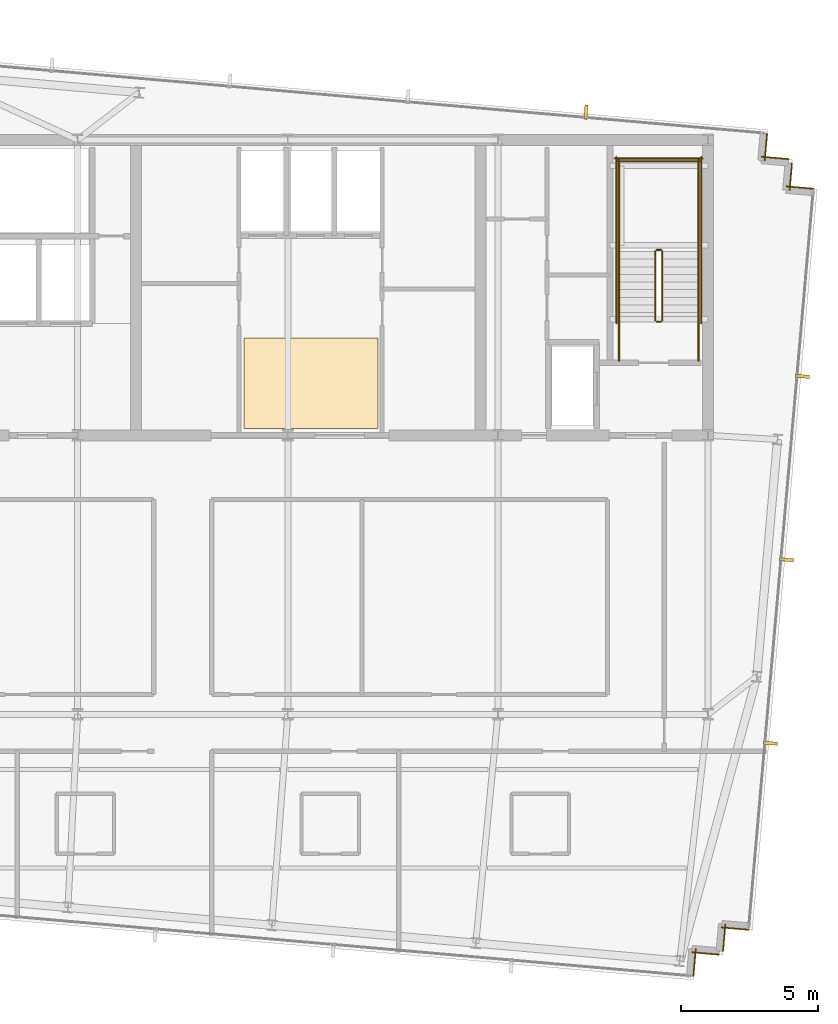
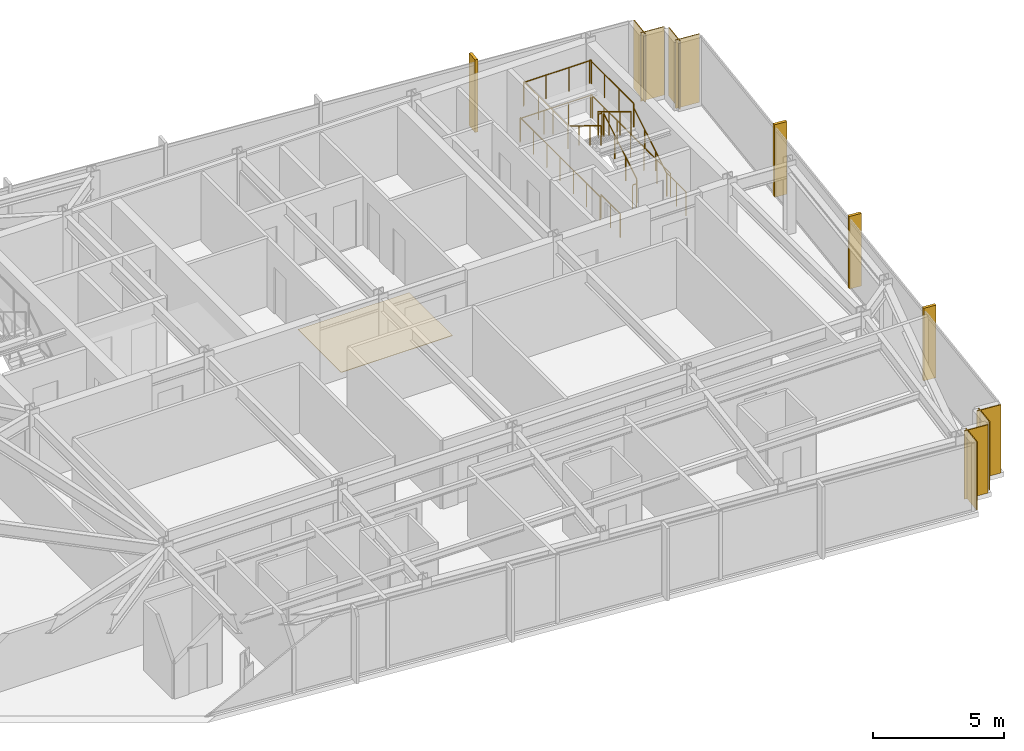
# One storey, part 32 of 33: 14 railings, 9 coverings, 4 shading devices.
"""IFC4 building model written with IfcOpenShell, lengths in metres."""

from ifc_helpers import new_model, si_unit, direction, frame, frame_2d, origin, origin_2d, place, context, subcontext, project, spatial, polyline, rectangle, circle, outline, extrude, material, layer, layer_set, type_object, element, save


model = new_model("IFC4")

# Units and contexts
model_context = context("Model", 3, precision=1e-05, world=origin(), true_north=direction((0.0, 1.0)))
body_context = subcontext(model_context, "Body", "Model", "MODEL_VIEW")
ifc_project = project(units=[si_unit("LENGTHUNIT", "METRE"), si_unit("AREAUNIT", "SQUARE_METRE"), si_unit("VOLUMEUNIT", "CUBIC_METRE"), si_unit("PLANEANGLEUNIT", "RADIAN"), si_unit("MASSUNIT", "GRAM", prefix="KILO")], contexts=[model_context])

# Site, building, storey
site_placement = place(None, origin())
site = spatial("IfcSite", under=ifc_project, at=site_placement, CompositionType="ELEMENT")
building_placement = place(site_placement, origin())
building = spatial("IfcBuilding", under=site, at=building_placement, Name="Yelkora Congress Tower", CompositionType="ELEMENT")
storey_placement = place(building_placement, frame((0.0, 0.0, 282.89990234375)))
storey = spatial("IfcBuildingStorey", under=building, at=storey_placement, Name="L79", CompositionType="ELEMENT", Elevation=282.89990234375)

# Coverings
ifc_material_1 = material(Name="Anatolian bush-hammered limestone", Category="masonry")
ifc_layer_1 = layer(ifc_material_1, 0.0400390625)
ifc_layer_set_1 = layer_set([ifc_layer_1], Name="Anatolian bush-hammered limestone")
covering_type_1 = type_object("IfcCoveringType", Name="COV-CLAD-SPANDREL-40", PredefinedType="CLADDING", material=ifc_layer_set_1)
for number, where, z_axis, x_axis, name in (
    (1, (55.92041015625, 46.431396484375, 0.0), (0.0, 0.0, 1.0), (-0.086903493655, -0.996216734848, 0.0), "L79 Anatolian Limestone Cladding EW-L79-SR11"),
    (2, (55.710693359375, 45.581298828125, 0.0), (0.0, 0.0, 1.0), (0.996193717496, -0.087166950281, 0.0), "L79 Anatolian Limestone Cladding EW-L79-SR12"),
    (3, (56.82958984375, 45.347900390625, 0.0), (0.0, 0.0, 1.0), (-0.087166950281, -0.996193717496, 0.0), "L79 Anatolian Limestone Cladding EW-L79-SR13"),
):
    element("IfcCovering", number, at=place(storey_placement, frame(where, z_axis=z_axis, x_axis=x_axis)), inside=storey, type_object=covering_type_1, Name=name, PredefinedType="CLADDING", context=body_context, shape_type="SweptSolid", body=[
        extrude(rectangle(XDim=1.0, YDim=0.0400390625, at=frame_2d((0.5, 0.0))), origin(), (0.0, 0.0, 1.0), 3.18017578125),
    ])
covering_1_placement = place(storey_placement, frame((56.61962890625, 44.498046875, 0.0), z_axis=(0.0, 0.0, 1.0), x_axis=(0.996195572005, -0.087145753297, 0.0)))
element("IfcCovering", 4, at=covering_1_placement, inside=storey, type_object=covering_type_1, Name="L79 Anatolian Limestone Cladding EW-L79-SR14", PredefinedType="CLADDING", context=body_context, shape_type="SweptSolid", body=[
    extrude(rectangle(XDim=1.000244140625, YDim=0.0400390625, at=frame_2d((0.5, 0.0))), origin(), (0.0, 0.0, 1.0), 3.18017578125),
])
for number, where, z_axis, x_axis, name in (
    (5, (55.24609375, 17.32421875, 0.0), (0.0, 0.0, 1.0), (-0.99617248636, 0.08740925248, 0.0), "L79 Anatolian Limestone Cladding EW-L79-SR16"),
    (6, (54.396240234375, 17.5341796875, 0.0), (0.0, 0.0, 1.0), (-0.087166950281, -0.996193717496, 0.0), "L79 Anatolian Limestone Cladding EW-L79-SR17"),
):
    element("IfcCovering", number, at=place(storey_placement, frame(where, z_axis=z_axis, x_axis=x_axis)), inside=storey, type_object=covering_type_1, Name=name, PredefinedType="CLADDING", context=body_context, shape_type="SweptSolid", body=[
        extrude(rectangle(XDim=1.0, YDim=0.0400390625, at=frame_2d((0.5, 0.0))), origin(), (0.0, 0.0, 1.0), 3.18017578125),
    ])
covering_2_placement = place(storey_placement, frame((54.162841796875, 16.415283203125, 0.0), z_axis=(0.0, 0.0, 1.0), x_axis=(-0.996195572005, 0.087145753297, 0.0)))
element("IfcCovering", 7, at=covering_2_placement, inside=storey, type_object=covering_type_1, Name="L79 Anatolian Limestone Cladding EW-L79-SR18", PredefinedType="CLADDING", context=body_context, shape_type="SweptSolid", body=[
    extrude(rectangle(XDim=1.000244140625, YDim=0.0400390625, at=frame_2d((0.5, 0.0))), origin(), (0.0, 0.0, 1.0), 3.18017578125),
])
covering_3_placement = place(storey_placement, frame((53.312744140625, 16.625, 0.0), z_axis=(0.0, 0.0, 1.0), x_axis=(-0.087166950281, -0.996193717496, 0.0)))
element("IfcCovering", 8, at=covering_3_placement, inside=storey, type_object=covering_type_1, Name="L79 Anatolian Limestone Cladding EW-L79-SR19", PredefinedType="CLADDING", context=body_context, shape_type="SweptSolid", body=[
    extrude(rectangle(XDim=1.0, YDim=0.0400390625, at=frame_2d((0.5, 0.0))), origin(), (0.0, 0.0, 1.0), 3.18017578125),
])
ifc_material_2 = material(Name="Polished Anatolian grey granite tile", Category="masonry")
ifc_layer_2 = layer(ifc_material_2, 0.02001953125)
ifc_layer_set_2 = layer_set([ifc_layer_2], Name="Polished Anatolian grey granite tile")
covering_type_2 = type_object("IfcCoveringType", Name="COV-FLOOR-GRANITE-20", PredefinedType="FLOORING", material=ifc_layer_set_2)
covering_4_placement = place(storey_placement, origin())
element("IfcCovering", 9, at=covering_4_placement, inside=storey, type_object=covering_type_2, Name="L79 Lift Lobby Granite Flooring", PredefinedType="FLOORING", context=body_context, shape_type="SweptSolid", body=[
    extrude(outline(polyline([(36.800048828125, 35.64990234375), (41.699951171875, 35.64990234375), (41.699951171875, 38.949951171875), (36.800048828125, 38.949951171875), (36.800048828125, 35.64990234375)])), origin(), (0.0, 0.0, 1.0), 0.02001953125),
])

# Railings
ifc_material_3 = material(Name="Painted galvanised steel stair well guard with vertical infill", Category="steel")
ifc_layer_3 = layer(ifc_material_3, 0.06005859375)
ifc_layer_set_3 = layer_set([ifc_layer_3], Name="Painted galvanised steel stair well guard with vertical infill")
railing_type_1 = type_object("IfcRailingType", Name="RAIL-STAIR-GUARD-1120", PredefinedType="GUARDRAIL", material=ifc_layer_set_3)
railing_1_placement = place(storey_placement, frame((52.090087890625, 39.60009765625, 0.170166015625)))
element("IfcRailing", 10, at=railing_1_placement, inside=storey, type_object=railing_type_1, Name="ST-02 L79 Stair Well Guardrail 1", PredefinedType="GUARDRAIL", context=body_context, shape_type="SweptSolid", body=[
    extrude(circle(Radius=0.02392578125, at=origin_2d()), frame((0.0, 0.0, 1.09619140625), z_axis=(0.0, 0.85478489116, 0.518982456201), x_axis=(-1.0, 0.0, 0.0)), (0.0, 0.0, 1.0), 2.9482421875),
    extrude(circle(Radius=0.02099609375, at=origin_2d()), origin(), (0.0, 0.0, 1.0), 1.072021484375),
    extrude(circle(Radius=0.02099609375, at=origin_2d()), frame((0.0, 0.840087890625, 0.510009765625)), (0.0, 0.0, 1.0), 1.072021484375),
    extrude(circle(Radius=0.02099609375, at=origin_2d()), frame((0.0, 1.679931640625, 1.02001953125)), (0.0, 0.0, 1.0), 1.072021484375),
    extrude(circle(Radius=0.02099609375, at=origin_2d()), frame((0.0, 2.52001953125, 1.530029296875)), (0.0, 0.0, 1.0), 1.072021484375),
])
railing_2_placement = place(storey_placement, frame((52.0400390625, 42.169921875, 1.7001953125)))
element("IfcRailing", 11, at=railing_2_placement, inside=storey, type_object=railing_type_1, Name="ST-02 L79 Stair Well Guardrail 2", PredefinedType="GUARDRAIL", context=body_context, shape_type="SweptSolid", body=[
    extrude(circle(Radius=0.02392578125, at=origin_2d()), frame((0.0, 0.0, 1.09619140625), z_axis=(-1.0, 0.0, 0.0), x_axis=(0.0, -1.0, 0.0)), (0.0, 0.0, 1.0), 0.16015625),
    extrude(circle(Radius=0.02099609375, at=origin_2d()), origin(), (0.0, 0.0, 1.0), 1.072021484375),
    extrude(circle(Radius=0.02099609375, at=origin_2d()), frame((-0.16015625, 0.0, 0.0)), (0.0, 0.0, 1.0), 1.072021484375),
])
for number, where, name in (
    (12, (53.409912109375, 42.1201171875, 1.7001953125), "ST-02 L79 Stair Well Guardrail 3"),
    (13, (50.510009765625, 42.1201171875, 1.7001953125), "ST-02 L79 Stair Well Guardrail 4"),
):
    element("IfcRailing", number, at=place(storey_placement, frame(where)), inside=storey, type_object=railing_type_1, Name=name, PredefinedType="GUARDRAIL", context=body_context, shape_type="SweptSolid", body=[
        extrude(circle(Radius=0.02392578125, at=origin_2d()), frame((0.0, 0.0, 1.09619140625), z_axis=(0.0, 1.0, 0.0), x_axis=(-1.0, 0.0, 0.0)), (0.0, 0.0, 1.0), 3.349853515625),
        extrude(circle(Radius=0.02099609375, at=origin_2d()), origin(), (0.0, 0.0, 1.0), 1.072021484375),
        extrude(circle(Radius=0.02099609375, at=origin_2d()), frame((0.0, 1.11669921875, 0.0)), (0.0, 0.0, 1.0), 1.072021484375),
        extrude(circle(Radius=0.02099609375, at=origin_2d()), frame((0.0, 2.233154296875, 0.0)), (0.0, 0.0, 1.0), 1.072021484375),
        extrude(circle(Radius=0.02099609375, at=origin_2d()), frame((0.0, 3.349853515625, 0.0)), (0.0, 0.0, 1.0), 1.072021484375),
    ])
railing_3_placement = place(storey_placement, frame((53.4599609375, 45.419921875, 1.7001953125)))
element("IfcRailing", 14, at=railing_3_placement, inside=storey, type_object=railing_type_1, Name="ST-02 L79 Stair Well Guardrail 5", PredefinedType="GUARDRAIL", context=body_context, shape_type="SweptSolid", body=[
    extrude(circle(Radius=0.02392578125, at=origin_2d()), frame((0.0, 0.0, 1.09619140625), z_axis=(-1.0, 0.0, 0.0), x_axis=(0.0, -1.0, 0.0)), (0.0, 0.0, 1.0), 3.0),
    extrude(circle(Radius=0.02099609375, at=origin_2d()), origin(), (0.0, 0.0, 1.0), 1.072021484375),
    extrude(circle(Radius=0.02099609375, at=origin_2d()), frame((-1.0, 0.0, 0.0)), (0.0, 0.0, 1.0), 1.072021484375),
    extrude(circle(Radius=0.02099609375, at=origin_2d()), frame((-2.0, 0.0, 0.0)), (0.0, 0.0, 1.0), 1.072021484375),
    extrude(circle(Radius=0.02099609375, at=origin_2d()), frame((-3.0, 0.0, 0.0)), (0.0, 0.0, 1.0), 1.072021484375),
])
railing_4_placement = place(storey_placement, frame((51.830078125, 42.1201171875, 1.8701171875)))
element("IfcRailing", 15, at=railing_4_placement, inside=storey, type_object=railing_type_1, Name="ST-02 L79 Stair Well Guardrail 6", PredefinedType="GUARDRAIL", context=body_context, shape_type="SweptSolid", body=[
    extrude(circle(Radius=0.02392578125, at=origin_2d()), frame((0.0, 0.0, 1.09619140625), z_axis=(0.0, -0.85478489116, 0.518982456201), x_axis=(1.0, 0.0, 0.0)), (0.0, 0.0, 1.0), 2.9482421875),
    extrude(circle(Radius=0.02099609375, at=origin_2d()), origin(), (0.0, 0.0, 1.0), 1.072021484375),
    extrude(circle(Radius=0.02099609375, at=origin_2d()), frame((0.0, -0.840087890625, 0.510009765625)), (0.0, 0.0, 1.0), 1.072021484375),
    extrude(circle(Radius=0.02099609375, at=origin_2d()), frame((0.0, -1.679931640625, 1.02001953125)), (0.0, 0.0, 1.0), 1.072021484375),
    extrude(circle(Radius=0.02099609375, at=origin_2d()), frame((0.0, -2.52001953125, 1.530029296875)), (0.0, 0.0, 1.0), 1.072021484375),
])
railing_5_placement = place(storey_placement, frame((52.0400390625, 39.550048828125, 0.0)))
element("IfcRailing", 16, at=railing_5_placement, inside=storey, type_object=railing_type_1, Name="ST-02 L79 Stair Well Guardrail 7", PredefinedType="GUARDRAIL", context=body_context, shape_type="SweptSolid", body=[
    extrude(circle(Radius=0.02392578125, at=origin_2d()), frame((0.0, 0.0, 1.09619140625), z_axis=(-1.0, 0.0, 0.0), x_axis=(0.0, -1.0, 0.0)), (0.0, 0.0, 1.0), 0.16015625),
    extrude(circle(Radius=0.02099609375, at=origin_2d()), origin(), (0.0, 0.0, 1.0), 1.072021484375),
    extrude(circle(Radius=0.02099609375, at=origin_2d()), frame((-0.16015625, 0.0, 0.0)), (0.0, 0.0, 1.0), 1.072021484375),
])
for number, where, name in (
    (17, (53.409912109375, 38.1201171875, 0.0), "ST-02 L79 Stair Well Guardrail 8"),
    (18, (50.510009765625, 38.1201171875, 0.0), "ST-02 L79 Stair Well Guardrail 9"),
):
    element("IfcRailing", number, at=place(storey_placement, frame(where)), inside=storey, type_object=railing_type_1, Name=name, PredefinedType="GUARDRAIL", context=body_context, shape_type="SweptSolid", body=[
        extrude(circle(Radius=0.02392578125, at=origin_2d()), frame((0.0, 0.0, 1.09619140625), z_axis=(0.0, 1.0, 0.0), x_axis=(-1.0, 0.0, 0.0)), (0.0, 0.0, 1.0), 1.47998046875),
        extrude(circle(Radius=0.02099609375, at=origin_2d()), origin(), (0.0, 0.0, 1.0), 1.072021484375),
        extrude(circle(Radius=0.02099609375, at=origin_2d()), frame((0.0, 0.739990234375, 0.0)), (0.0, 0.0, 1.0), 1.072021484375),
        extrude(circle(Radius=0.02099609375, at=origin_2d()), frame((0.0, 1.47998046875, 0.0)), (0.0, 0.0, 1.0), 1.072021484375),
    ])
for number, where, name in (
    (19, (53.510009765625, 39.5, 0.0), "ST-02 L79 Stair Well Guardrail 10"),
    (20, (50.409912109375, 39.5, 0.0), "ST-02 L79 Stair Well Guardrail 11"),
):
    element("IfcRailing", number, at=place(storey_placement, frame(where)), inside=storey, type_object=railing_type_1, Name=name, PredefinedType="GUARDRAIL", context=body_context, shape_type="SweptSolid", body=[
        extrude(circle(Radius=0.02392578125, at=origin_2d()), frame((0.0, 0.0, 1.09619140625), z_axis=(0.0, 1.0, 0.0), x_axis=(-1.0, 0.0, 0.0)), (0.0, 0.0, 1.0), 6.070068359375),
        extrude(circle(Radius=0.02099609375, at=origin_2d()), origin(), (0.0, 0.0, 1.0), 1.072021484375),
        extrude(circle(Radius=0.02099609375, at=origin_2d()), frame((0.0, 1.01171875, 0.0)), (0.0, 0.0, 1.0), 1.072021484375),
        extrude(circle(Radius=0.02099609375, at=origin_2d()), frame((0.0, 2.0234375, 0.0)), (0.0, 0.0, 1.0), 1.072021484375),
        extrude(circle(Radius=0.02099609375, at=origin_2d()), frame((0.0, 3.03515625, 0.0)), (0.0, 0.0, 1.0), 1.072021484375),
        extrude(circle(Radius=0.02099609375, at=origin_2d()), frame((0.0, 4.046630859375, 0.0)), (0.0, 0.0, 1.0), 1.072021484375),
        extrude(circle(Radius=0.02099609375, at=origin_2d()), frame((0.0, 5.058349609375, 0.0)), (0.0, 0.0, 1.0), 1.072021484375),
        extrude(circle(Radius=0.02099609375, at=origin_2d()), frame((0.0, 6.070068359375, 0.0)), (0.0, 0.0, 1.0), 1.072021484375),
    ])
railing_6_placement = place(storey_placement, frame((53.56005859375, 45.52001953125, 0.0)))
element("IfcRailing", 21, at=railing_6_placement, inside=storey, type_object=railing_type_1, Name="ST-02 L79 Stair Well Guardrail 12", PredefinedType="GUARDRAIL", context=body_context, shape_type="SweptSolid", body=[
    extrude(circle(Radius=0.02392578125, at=origin_2d()), frame((0.0, 0.0, 1.09619140625), z_axis=(-1.0, 0.0, 0.0), x_axis=(0.0, -1.0, 0.0)), (0.0, 0.0, 1.0), 3.199951171875),
    extrude(circle(Radius=0.02099609375, at=origin_2d()), origin(), (0.0, 0.0, 1.0), 1.072021484375),
    extrude(circle(Radius=0.02099609375, at=origin_2d()), frame((-1.066650390625, 0.0, 0.0)), (0.0, 0.0, 1.0), 1.072021484375),
    extrude(circle(Radius=0.02099609375, at=origin_2d()), frame((-2.13330078125, 0.0, 0.0)), (0.0, 0.0, 1.0), 1.072021484375),
    extrude(circle(Radius=0.02099609375, at=origin_2d()), frame((-3.199951171875, 0.0, 0.0)), (0.0, 0.0, 1.0), 1.072021484375),
])
ifc_material_4 = material(Name="Brushed stainless steel tubular handrail", Category="steel")
ifc_layer_4 = layer(ifc_material_4, 0.050048828125)
ifc_layer_set_4 = layer_set([ifc_layer_4], Name="Brushed stainless steel tubular handrail")
railing_type_2 = type_object("IfcRailingType", Name="RAIL-STAIR-HAND-920", PredefinedType="HANDRAIL", material=ifc_layer_set_4)
railing_7_placement = place(storey_placement, frame((53.409912109375, 39.60009765625, 0.170166015625)))
element("IfcRailing", 22, at=railing_7_placement, inside=storey, type_object=railing_type_2, Name="ST-02 L79 Pitch Handrail 1", PredefinedType="HANDRAIL", context=body_context, shape_type="SweptSolid", body=[
    extrude(circle(Radius=0.02392578125, at=origin_2d()), frame((0.0, 0.0, 0.89599609375), z_axis=(0.0, 0.85478489116, 0.518982456201), x_axis=(-1.0, 0.0, 0.0)), (0.0, 0.0, 1.0), 2.9482421875),
    extrude(circle(Radius=0.02099609375, at=origin_2d()), origin(), (0.0, 0.0, 1.0), 0.871826171875),
    extrude(circle(Radius=0.02099609375, at=origin_2d()), frame((0.0, 0.840087890625, 0.510009765625)), (0.0, 0.0, 1.0), 0.871826171875),
    extrude(circle(Radius=0.02099609375, at=origin_2d()), frame((0.0, 1.679931640625, 1.02001953125)), (0.0, 0.0, 1.0), 0.871826171875),
    extrude(circle(Radius=0.02099609375, at=origin_2d()), frame((0.0, 2.52001953125, 1.530029296875)), (0.0, 0.0, 1.0), 0.871826171875),
])
railing_8_placement = place(storey_placement, frame((50.510009765625, 42.1201171875, 1.8701171875)))
element("IfcRailing", 23, at=railing_8_placement, inside=storey, type_object=railing_type_2, Name="ST-02 L79 Pitch Handrail 2", PredefinedType="HANDRAIL", context=body_context, shape_type="SweptSolid", body=[
    extrude(circle(Radius=0.02392578125, at=origin_2d()), frame((0.0, 0.0, 0.89599609375), z_axis=(0.0, -0.85478489116, 0.518982456201), x_axis=(1.0, 0.0, 0.0)), (0.0, 0.0, 1.0), 2.9482421875),
    extrude(circle(Radius=0.02099609375, at=origin_2d()), origin(), (0.0, 0.0, 1.0), 0.871826171875),
    extrude(circle(Radius=0.02099609375, at=origin_2d()), frame((0.0, -0.840087890625, 0.510009765625)), (0.0, 0.0, 1.0), 0.871826171875),
    extrude(circle(Radius=0.02099609375, at=origin_2d()), frame((0.0, -1.679931640625, 1.02001953125)), (0.0, 0.0, 1.0), 0.871826171875),
    extrude(circle(Radius=0.02099609375, at=origin_2d()), frame((0.0, -2.52001953125, 1.530029296875)), (0.0, 0.0, 1.0), 0.871826171875),
])

# Shading devices
ifc_material_5 = material(Name="Champagne anodised aluminium", Category="aluminium")
ifc_layer_5 = layer(ifc_material_5, 3.300048828125)
ifc_layer_set_5 = layer_set([ifc_layer_5], Name="Champagne anodised aluminium")
shading_device_type = type_object("IfcShadingDeviceType", Name="SHD-FIN-ALU-520", PredefinedType="USERDEFINED", material=ifc_layer_set_5)
for number, where, z_axis, x_axis, name in (
    (24, (49.296875, 47.21142578125, -0.02978515625), (0.0, 0.0, 1.0), (0.996194698092, -0.087155742748, 0.0), "L79 Vertical Anodised Solar Fin 10-6"),
    (25, (57.216796875, 37.554443359375, -0.02978515625), (0.0, 0.0, 1.0), (-0.087155742748, -0.996194698092, 0.0), "L79 Vertical Anodised Solar Fin 15-1"),
    (26, (56.630126953125, 30.85009765625, -0.02978515625), (0.0, 0.0, 1.0), (-0.087155742748, -0.996194698092, 0.0), "L79 Vertical Anodised Solar Fin 15-2"),
    (27, (56.043701171875, 24.145751953125, -0.02978515625), (0.0, 0.0, 1.0), (-0.087155742748, -0.996194698092, 0.0), "L79 Vertical Anodised Solar Fin 15-3"),
):
    element("IfcShadingDevice", number, at=place(storey_placement, frame(where, z_axis=z_axis, x_axis=x_axis)), inside=storey, type_object=shading_device_type, Name=name, ObjectType="FIN", PredefinedType="USERDEFINED", context=body_context, shape_type="SweptSolid", body=[
        extrude(rectangle(XDim=0.1201171875, YDim=0.52001953125, at=origin_2d()), origin(), (0.0, 0.0, 1.0), 3.3798828125),
    ])

save(model, "model.ifc")
